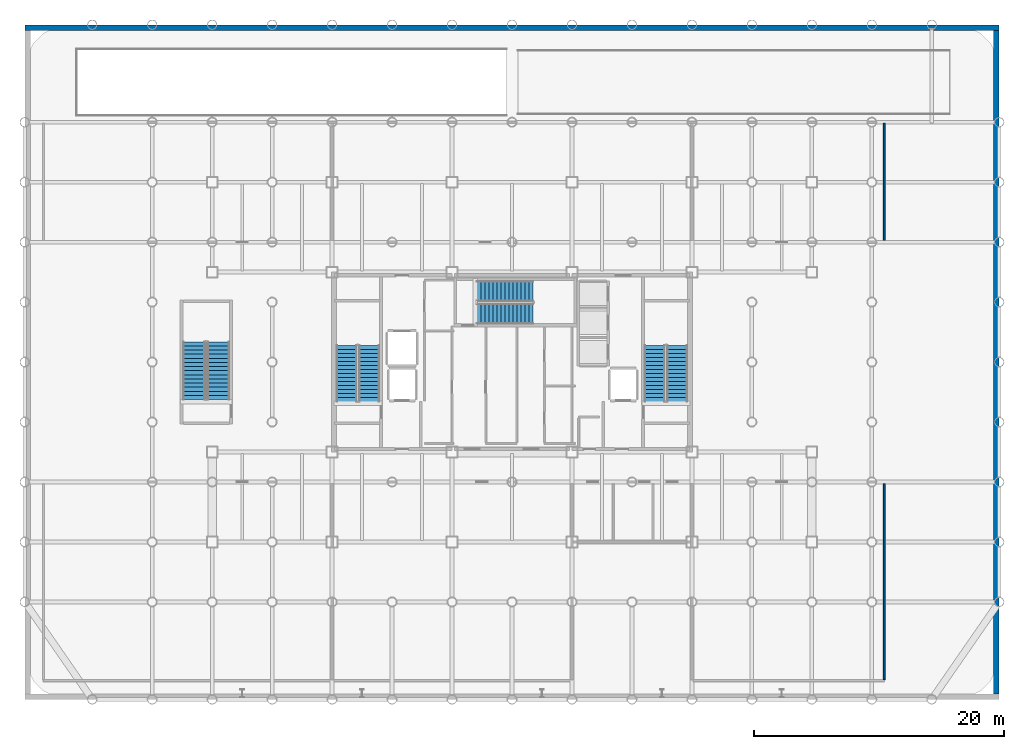
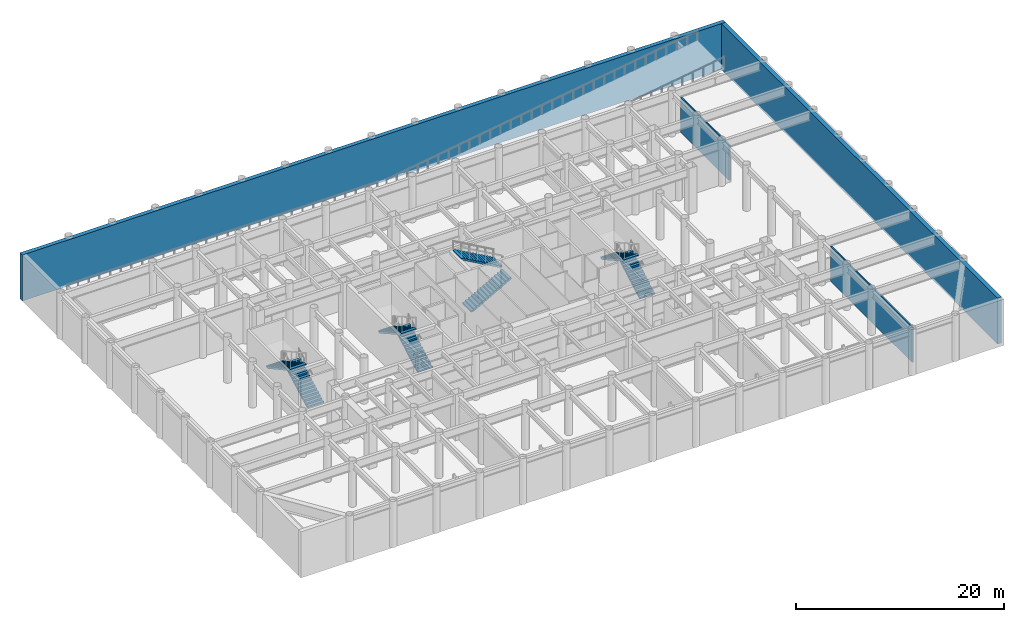
# One storey, part 12 of 16: 8 stair flights, 4 walls, 4 elements without a shape of their own.
"""IFC4 building model written with IfcOpenShell, lengths in metres."""

from ifc_helpers import new_model, si_unit, direction, frame, frame_2d, origin, place, context, subcontext, project, spatial, polyline, rectangle, outline, extrude, material, layer, layer_set, type_object, element, aggregate, save


model = new_model("IFC4")

# Units and contexts
model_context = context("Model", 3, precision=1e-05, world=origin(), true_north=direction((0.0, 1.0)))
body_context = subcontext(model_context, "Body", "Model", "MODEL_VIEW")
ifc_project = project(units=[si_unit("LENGTHUNIT", "METRE"), si_unit("AREAUNIT", "SQUARE_METRE"), si_unit("VOLUMEUNIT", "CUBIC_METRE"), si_unit("PLANEANGLEUNIT", "RADIAN"), si_unit("MASSUNIT", "GRAM", prefix="KILO")], contexts=[model_context])

# Site, building, storey
site_placement = place(None, origin())
site = spatial("IfcSite", under=ifc_project, at=site_placement, CompositionType="ELEMENT")
building_placement = place(site_placement, origin())
building = spatial("IfcBuilding", under=site, at=building_placement, Name="Kallvorn Hotel Tower", CompositionType="ELEMENT")
storey_placement = place(building_placement, frame((0.0, 0.0, -5.39990234375)))
storey = spatial("IfcBuildingStorey", under=building, at=storey_placement, Name="B1", CompositionType="ELEMENT", Elevation=-5.39990234375)

# Walls
ifc_material_1 = material(Name="Fire-rated double-layer acoustic gypsum drywall EI 60")
ifc_layer_1 = layer(ifc_material_1, 0.14990234375)
ifc_layer_set_1 = layer_set([ifc_layer_1], Name="WL_PART_150")
wall_type_1 = type_object("IfcWallType", Name="WL_PART_150", PredefinedType="PARTITIONING", material=ifc_layer_set_1)
wall_1_placement = place(storey_placement, frame((29.800048828125, -25.4150390625, 0.0), z_axis=(0.0, 0.0, 1.0), x_axis=(0.0, 1.0, 0.0)))
element("IfcWall", 1, at=wall_1_placement, inside=storey, type_object=wall_type_1, Name="B1 Staff Changing Rooms and Lockers Partition", PredefinedType="PARTITIONING", context=body_context, shape_type="SweptSolid", body=[
    extrude(rectangle(XDim=15.6650390625, YDim=0.14990234375, at=frame_2d((7.83251953125, 0.0))), origin(), (0.0, 0.0, 1.0), 4.14990234375),
])
wall_2_placement = place(storey_placement, frame((29.800048828125, 9.75, 0.0), z_axis=(0.0, 0.0, 1.0), x_axis=(0.0, 1.0, 0.0)))
element("IfcWall", 2, at=wall_2_placement, inside=storey, type_object=wall_type_1, Name="B1 Staff Canteen Dining Hall Partition", PredefinedType="PARTITIONING", context=body_context, shape_type="SweptSolid", body=[
    extrude(rectangle(XDim=9.35009765625, YDim=0.14990234375, at=frame_2d((4.675048828125, 0.0))), origin(), (0.0, 0.0, 1.0), 4.14990234375),
])
ifc_material_2 = material(Name="Concrete C40/50", Category="concrete")
ifc_layer_2 = layer(ifc_material_2, 0.449951171875)
ifc_layer_set_2 = layer_set([ifc_layer_2], Name="WL_RET_450")
wall_type_2 = type_object("IfcWallType", Name="WL_RET_450", PredefinedType="SOLIDWALL", material=ifc_layer_set_2)
wall_3_placement = place(storey_placement, frame((39.0, 26.77490234375, -0.25), z_axis=(0.0, 0.0, 1.0), x_axis=(-1.0, 0.0, 0.0)))
element("IfcWall", 3, at=wall_3_placement, inside=storey, type_object=wall_type_2, Name="B1 Perimeter Retaining Wall N", PredefinedType="SOLIDWALL", context=body_context, shape_type="SweptSolid", body=[
    extrude(rectangle(XDim=78.0, YDim=0.449951171875, at=frame_2d((39.0, 0.0))), origin(), (0.0, 0.0, 1.0), 5.39990234375),
])
wall_4_placement = place(storey_placement, frame((38.77490234375, -26.550048828125, -0.25), z_axis=(0.0, 0.0, 1.0), x_axis=(0.0, 1.0, 0.0)))
element("IfcWall", 4, at=wall_4_placement, inside=storey, type_object=wall_type_2, Name="B1 Perimeter Retaining Wall E", PredefinedType="SOLIDWALL", context=body_context, shape_type="SweptSolid", body=[
    extrude(rectangle(XDim=53.10009765625, YDim=0.449951171875, at=frame_2d((26.550048828125, 0.0))), origin(), (0.0, 0.0, 1.0), 5.39990234375),
])

# Stair, stair flights
ifc_material_3 = material(Name="Precast concrete C40/50", Category="concrete")
stair_type_1 = type_object("IfcStairType", Name="STR_CORE_DOGLEG", PredefinedType="HALF_TURN_STAIR", material=ifc_material_3)
stair_1_placement = place(storey_placement, origin())
stair_1 = element("IfcStair", 5, at=stair_1_placement, inside=storey, type_object=stair_type_1, Name="B1 Exit stair ST1", PredefinedType="HALF_TURN_STAIR")
ifc_material_4 = material(Name="Precast concrete C40/50", Category="concrete")
stair_flight_type_1 = type_object("IfcStairFlightType", Name="FLT_CORE_1660", PredefinedType="STRAIGHT", material=ifc_material_4)
stair_flight_1_placement = place(storey_placement, frame((-11.429931640625, -3.139892578125, 0.0), z_axis=(0.0, 0.0, 1.0), x_axis=(0.0, 1.0, 0.0)))
stair_flight_1 = element("IfcStairFlight", 6, at=stair_flight_1_placement, type_object=stair_flight_type_1, Name="ST1 flight 1", NumberOfRisers=15, NumberOfTreads=14, PredefinedType="STRAIGHT", RiserHeight=0.18, TreadLength=0.32, context=body_context, shape_type="SweptSolid", body=[
    extrude(outline(polyline([(0.0, 0.0), (0.0, 0.179931640625), (0.320068359375, 0.179931640625), (0.320068359375, 0.360107421875), (0.639892578125, 0.360107421875), (0.639892578125, 0.5400390625), (0.9599609375, 0.5400390625), (0.9599609375, 0.719970703125), (1.280029296875, 0.719970703125), (1.280029296875, 0.89990234375), (1.60009765625, 0.89990234375), (1.60009765625, 1.080078125), (1.919921875, 1.080078125), (1.919921875, 1.260009765625), (2.239990234375, 1.260009765625), (2.239990234375, 1.43994140625), (2.56005859375, 1.43994140625), (2.56005859375, 1.6201171875), (2.8798828125, 1.6201171875), (2.8798828125, 1.800048828125), (3.199951171875, 1.800048828125), (3.199951171875, 1.97998046875), (3.52001953125, 1.97998046875), (3.52001953125, 2.159912109375), (3.840087890625, 2.159912109375), (3.840087890625, 2.340087890625), (4.159912109375, 2.340087890625), (4.159912109375, 2.52001953125), (4.47998046875, 2.52001953125), (4.47998046875, 2.699951171875), (4.47998046875, 2.347900390625), (0.3056640625, 0.0), (0.0, 0.0)])), frame((0.0, 0.830078125, 0.0), z_axis=(0.0, -1.0, 0.0), x_axis=(1.0, 0.0, 0.0)), (0.0, 0.0, 1.0), 1.659912109375),
])
stair_flight_2_placement = place(storey_placement, frame((-13.22998046875, 1.340087890625, 2.699951171875), z_axis=(0.0, 0.0, 1.0), x_axis=(0.0, -1.0, 0.0)))
stair_flight_2 = element("IfcStairFlight", 7, at=stair_flight_2_placement, type_object=stair_flight_type_1, Name="ST1 flight 2", NumberOfRisers=15, NumberOfTreads=14, PredefinedType="STRAIGHT", RiserHeight=0.18, TreadLength=0.32, context=body_context, shape_type="SweptSolid", body=[
    extrude(outline(polyline([(0.0, 0.0), (0.0, 0.179931640625), (0.320068359375, 0.179931640625), (0.320068359375, 0.360107421875), (0.639892578125, 0.360107421875), (0.639892578125, 0.5400390625), (0.9599609375, 0.5400390625), (0.9599609375, 0.719970703125), (1.280029296875, 0.719970703125), (1.280029296875, 0.89990234375), (1.60009765625, 0.89990234375), (1.60009765625, 1.080078125), (1.919921875, 1.080078125), (1.919921875, 1.260009765625), (2.239990234375, 1.260009765625), (2.239990234375, 1.43994140625), (2.56005859375, 1.43994140625), (2.56005859375, 1.6201171875), (2.8798828125, 1.6201171875), (2.8798828125, 1.800048828125), (3.199951171875, 1.800048828125), (3.199951171875, 1.97998046875), (3.52001953125, 1.97998046875), (3.52001953125, 2.159912109375), (3.840087890625, 2.159912109375), (3.840087890625, 2.340087890625), (4.159912109375, 2.340087890625), (4.159912109375, 2.52001953125), (4.47998046875, 2.52001953125), (4.47998046875, 2.699951171875), (4.47998046875, 2.347900390625), (0.3056640625, 0.0), (0.0, 0.0)])), frame((0.0, 0.830078125, 0.0), z_axis=(0.0, -1.0, 0.0), x_axis=(1.0, 0.0, 0.0)), (0.0, 0.0, 1.0), 1.659912109375),
])
aggregate(stair_1, [stair_flight_1, stair_flight_2])

stair_2_placement = place(storey_placement, origin())
stair_2 = element("IfcStair", 8, at=stair_2_placement, inside=storey, type_object=stair_type_1, Name="B1 Exit stair ST2", PredefinedType="HALF_TURN_STAIR")
stair_flight_3_placement = place(storey_placement, frame((13.22998046875, -3.139892578125, 0.0), z_axis=(0.0, 0.0, 1.0), x_axis=(0.0, 1.0, 0.0)))
stair_flight_3 = element("IfcStairFlight", 9, at=stair_flight_3_placement, type_object=stair_flight_type_1, Name="ST2 flight 1", NumberOfRisers=15, NumberOfTreads=14, PredefinedType="STRAIGHT", RiserHeight=0.18, TreadLength=0.32, context=body_context, shape_type="SweptSolid", body=[
    extrude(outline(polyline([(0.0, 0.0), (0.0, 0.179931640625), (0.320068359375, 0.179931640625), (0.320068359375, 0.360107421875), (0.639892578125, 0.360107421875), (0.639892578125, 0.5400390625), (0.9599609375, 0.5400390625), (0.9599609375, 0.719970703125), (1.280029296875, 0.719970703125), (1.280029296875, 0.89990234375), (1.60009765625, 0.89990234375), (1.60009765625, 1.080078125), (1.919921875, 1.080078125), (1.919921875, 1.260009765625), (2.239990234375, 1.260009765625), (2.239990234375, 1.43994140625), (2.56005859375, 1.43994140625), (2.56005859375, 1.6201171875), (2.8798828125, 1.6201171875), (2.8798828125, 1.800048828125), (3.199951171875, 1.800048828125), (3.199951171875, 1.97998046875), (3.52001953125, 1.97998046875), (3.52001953125, 2.159912109375), (3.840087890625, 2.159912109375), (3.840087890625, 2.340087890625), (4.159912109375, 2.340087890625), (4.159912109375, 2.52001953125), (4.47998046875, 2.52001953125), (4.47998046875, 2.699951171875), (4.47998046875, 2.347900390625), (0.3056640625, 0.0), (0.0, 0.0)])), frame((0.0, 0.830078125, 0.0), z_axis=(0.0, -1.0, 0.0), x_axis=(1.0, 0.0, 0.0)), (0.0, 0.0, 1.0), 1.659912109375),
])
stair_flight_4_placement = place(storey_placement, frame((11.429931640625, 1.340087890625, 2.699951171875), z_axis=(0.0, 0.0, 1.0), x_axis=(0.0, -1.0, 0.0)))
stair_flight_4 = element("IfcStairFlight", 10, at=stair_flight_4_placement, type_object=stair_flight_type_1, Name="ST2 flight 2", NumberOfRisers=15, NumberOfTreads=14, PredefinedType="STRAIGHT", RiserHeight=0.18, TreadLength=0.32, context=body_context, shape_type="SweptSolid", body=[
    extrude(outline(polyline([(0.0, 0.0), (0.0, 0.179931640625), (0.320068359375, 0.179931640625), (0.320068359375, 0.360107421875), (0.639892578125, 0.360107421875), (0.639892578125, 0.5400390625), (0.9599609375, 0.5400390625), (0.9599609375, 0.719970703125), (1.280029296875, 0.719970703125), (1.280029296875, 0.89990234375), (1.60009765625, 0.89990234375), (1.60009765625, 1.080078125), (1.919921875, 1.080078125), (1.919921875, 1.260009765625), (2.239990234375, 1.260009765625), (2.239990234375, 1.43994140625), (2.56005859375, 1.43994140625), (2.56005859375, 1.6201171875), (2.8798828125, 1.6201171875), (2.8798828125, 1.800048828125), (3.199951171875, 1.800048828125), (3.199951171875, 1.97998046875), (3.52001953125, 1.97998046875), (3.52001953125, 2.159912109375), (3.840087890625, 2.159912109375), (3.840087890625, 2.340087890625), (4.159912109375, 2.340087890625), (4.159912109375, 2.52001953125), (4.47998046875, 2.52001953125), (4.47998046875, 2.699951171875), (4.47998046875, 2.347900390625), (0.3056640625, 0.0), (0.0, 0.0)])), frame((0.0, 0.830078125, 0.0), z_axis=(0.0, -1.0, 0.0), x_axis=(1.0, 0.0, 0.0)), (0.0, 0.0, 1.0), 1.659912109375),
])
aggregate(stair_2, [stair_flight_3, stair_flight_4])

stair_3_placement = place(storey_placement, origin())
stair_3 = element("IfcStair", 11, at=stair_3_placement, inside=storey, type_object=stair_type_1, Name="B1 Exit stair ST3", PredefinedType="HALF_TURN_STAIR")
stair_flight_5_placement = place(storey_placement, frame((-2.7900390625, 3.8798828125, 0.0), z_axis=(0.0, 0.0, 1.0), x_axis=(1.0, 0.0, 0.0)))
stair_flight_5 = element("IfcStairFlight", 12, at=stair_flight_5_placement, type_object=stair_flight_type_1, Name="ST3 flight 1", NumberOfRisers=15, NumberOfTreads=14, PredefinedType="STRAIGHT", RiserHeight=0.18, TreadLength=0.32, context=body_context, shape_type="SweptSolid", body=[
    extrude(outline(polyline([(0.0, 0.0), (0.0, 0.179931640625), (0.320068359375, 0.179931640625), (0.320068359375, 0.360107421875), (0.639892578125, 0.360107421875), (0.639892578125, 0.5400390625), (0.9599609375, 0.5400390625), (0.9599609375, 0.719970703125), (1.280029296875, 0.719970703125), (1.280029296875, 0.89990234375), (1.60009765625, 0.89990234375), (1.60009765625, 1.080078125), (1.919921875, 1.080078125), (1.919921875, 1.260009765625), (2.239990234375, 1.260009765625), (2.239990234375, 1.43994140625), (2.56005859375, 1.43994140625), (2.56005859375, 1.6201171875), (2.8798828125, 1.6201171875), (2.8798828125, 1.800048828125), (3.199951171875, 1.800048828125), (3.199951171875, 1.97998046875), (3.52001953125, 1.97998046875), (3.52001953125, 2.159912109375), (3.840087890625, 2.159912109375), (3.840087890625, 2.340087890625), (4.159912109375, 2.340087890625), (4.159912109375, 2.52001953125), (4.47998046875, 2.52001953125), (4.47998046875, 2.699951171875), (4.47998046875, 2.347900390625), (0.3056640625, 0.0), (0.0, 0.0)])), frame((0.0, 0.830078125, 0.0), z_axis=(0.0, -1.0, 0.0), x_axis=(1.0, 0.0, 0.0)), (0.0, 0.0, 1.0), 1.659912109375),
])
stair_flight_6_placement = place(storey_placement, frame((1.68994140625, 5.679931640625, 2.699951171875), z_axis=(0.0, 0.0, 1.0), x_axis=(-1.0, 0.0, 0.0)))
stair_flight_6 = element("IfcStairFlight", 13, at=stair_flight_6_placement, type_object=stair_flight_type_1, Name="ST3 flight 2", NumberOfRisers=15, NumberOfTreads=14, PredefinedType="STRAIGHT", RiserHeight=0.18, TreadLength=0.32, context=body_context, shape_type="SweptSolid", body=[
    extrude(outline(polyline([(0.0, 0.0), (0.0, 0.179931640625), (0.320068359375, 0.179931640625), (0.320068359375, 0.360107421875), (0.639892578125, 0.360107421875), (0.639892578125, 0.5400390625), (0.9599609375, 0.5400390625), (0.9599609375, 0.719970703125), (1.280029296875, 0.719970703125), (1.280029296875, 0.89990234375), (1.60009765625, 0.89990234375), (1.60009765625, 1.080078125), (1.919921875, 1.080078125), (1.919921875, 1.260009765625), (2.239990234375, 1.260009765625), (2.239990234375, 1.43994140625), (2.56005859375, 1.43994140625), (2.56005859375, 1.6201171875), (2.8798828125, 1.6201171875), (2.8798828125, 1.800048828125), (3.199951171875, 1.800048828125), (3.199951171875, 1.97998046875), (3.52001953125, 1.97998046875), (3.52001953125, 2.159912109375), (3.840087890625, 2.159912109375), (3.840087890625, 2.340087890625), (4.159912109375, 2.340087890625), (4.159912109375, 2.52001953125), (4.47998046875, 2.52001953125), (4.47998046875, 2.699951171875), (4.47998046875, 2.347900390625), (0.3056640625, 0.0), (0.0, 0.0)])), frame((0.0, 0.830078125, 0.0), z_axis=(0.0, -1.0, 0.0), x_axis=(1.0, 0.0, 0.0)), (0.0, 0.0, 1.0), 1.659912109375),
])
aggregate(stair_3, [stair_flight_5, stair_flight_6])

ifc_material_5 = material(Name="Precast concrete C40/50", Category="concrete")
stair_type_2 = type_object("IfcStairType", Name="STR_POD_DOGLEG", PredefinedType="HALF_TURN_STAIR", material=ifc_material_5)
stair_4_placement = place(storey_placement, origin())
stair_4 = element("IfcStair", 14, at=stair_4_placement, inside=storey, type_object=stair_type_2, Name="B1 Exit stair ST4", PredefinedType="HALF_TURN_STAIR")
ifc_material_6 = material(Name="Precast concrete C40/50", Category="concrete")
stair_flight_type_2 = type_object("IfcStairFlightType", Name="FLT_POD_1800", PredefinedType="STRAIGHT", material=ifc_material_6)
stair_flight_7_placement = place(storey_placement, frame((-23.5, -3.0, 0.0), z_axis=(0.0, 0.0, 1.0), x_axis=(0.0, 1.0, 0.0)))
stair_flight_7 = element("IfcStairFlight", 15, at=stair_flight_7_placement, type_object=stair_flight_type_2, Name="ST4 flight 1", NumberOfRisers=15, NumberOfTreads=14, PredefinedType="STRAIGHT", RiserHeight=0.18, TreadLength=0.33, context=body_context, shape_type="SweptSolid", body=[
    extrude(outline(polyline([(0.0, 0.0), (0.0, 0.179931640625), (0.330078125, 0.179931640625), (0.330078125, 0.360107421875), (0.659912109375, 0.360107421875), (0.659912109375, 0.5400390625), (0.989990234375, 0.5400390625), (0.989990234375, 0.719970703125), (1.320068359375, 0.719970703125), (1.320068359375, 0.89990234375), (1.64990234375, 0.89990234375), (1.64990234375, 1.080078125), (1.97998046875, 1.080078125), (1.97998046875, 1.260009765625), (2.31005859375, 1.260009765625), (2.31005859375, 1.43994140625), (2.639892578125, 1.43994140625), (2.639892578125, 1.6201171875), (2.969970703125, 1.6201171875), (2.969970703125, 1.800048828125), (3.300048828125, 1.800048828125), (3.300048828125, 1.97998046875), (3.6298828125, 1.97998046875), (3.6298828125, 2.159912109375), (3.9599609375, 2.159912109375), (3.9599609375, 2.340087890625), (4.2900390625, 2.340087890625), (4.2900390625, 2.52001953125), (4.6201171875, 2.52001953125), (4.6201171875, 2.699951171875), (4.6201171875, 2.349365234375), (0.31298828125, 0.0), (0.0, 0.0)])), frame((0.0, 0.89990234375, 0.0), z_axis=(0.0, -1.0, 0.0), x_axis=(1.0, 0.0, 0.0)), (0.0, 0.0, 1.0), 1.800048828125),
])
stair_flight_8_placement = place(storey_placement, frame((-25.43994140625, 1.6201171875, 2.699951171875), z_axis=(0.0, 0.0, 1.0), x_axis=(0.0, -1.0, 0.0)))
stair_flight_8 = element("IfcStairFlight", 16, at=stair_flight_8_placement, type_object=stair_flight_type_2, Name="ST4 flight 2", NumberOfRisers=15, NumberOfTreads=14, PredefinedType="STRAIGHT", RiserHeight=0.18, TreadLength=0.33, context=body_context, shape_type="SweptSolid", body=[
    extrude(outline(polyline([(0.0, 0.0), (0.0, 0.179931640625), (0.330078125, 0.179931640625), (0.330078125, 0.360107421875), (0.659912109375, 0.360107421875), (0.659912109375, 0.5400390625), (0.989990234375, 0.5400390625), (0.989990234375, 0.719970703125), (1.320068359375, 0.719970703125), (1.320068359375, 0.89990234375), (1.64990234375, 0.89990234375), (1.64990234375, 1.080078125), (1.97998046875, 1.080078125), (1.97998046875, 1.260009765625), (2.31005859375, 1.260009765625), (2.31005859375, 1.43994140625), (2.639892578125, 1.43994140625), (2.639892578125, 1.6201171875), (2.969970703125, 1.6201171875), (2.969970703125, 1.800048828125), (3.300048828125, 1.800048828125), (3.300048828125, 1.97998046875), (3.6298828125, 1.97998046875), (3.6298828125, 2.159912109375), (3.9599609375, 2.159912109375), (3.9599609375, 2.340087890625), (4.2900390625, 2.340087890625), (4.2900390625, 2.52001953125), (4.6201171875, 2.52001953125), (4.6201171875, 2.699951171875), (4.6201171875, 2.349365234375), (0.31298828125, 0.0), (0.0, 0.0)])), frame((0.0, 0.89990234375, 0.0), z_axis=(0.0, -1.0, 0.0), x_axis=(1.0, 0.0, 0.0)), (0.0, 0.0, 1.0), 1.800048828125),
])
aggregate(stair_4, [stair_flight_7, stair_flight_8])

save(model, "model.ifc")
